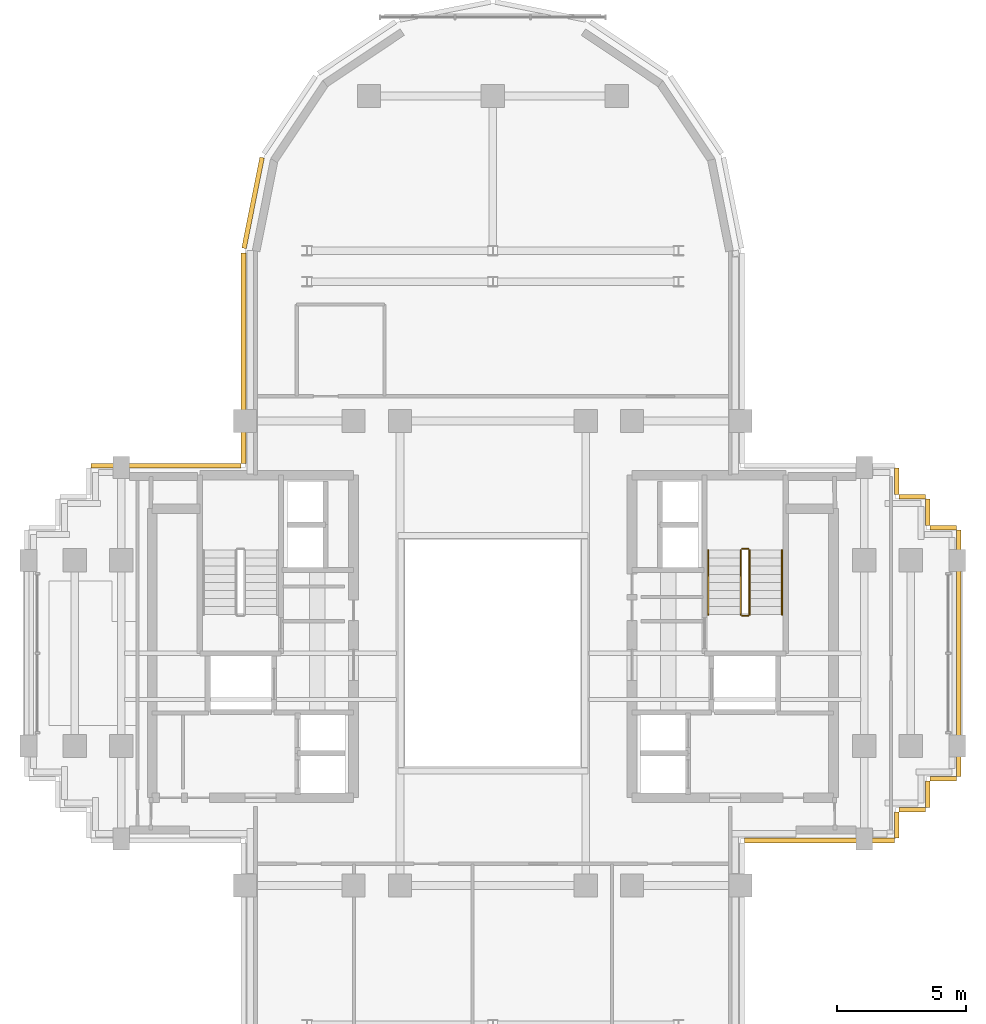
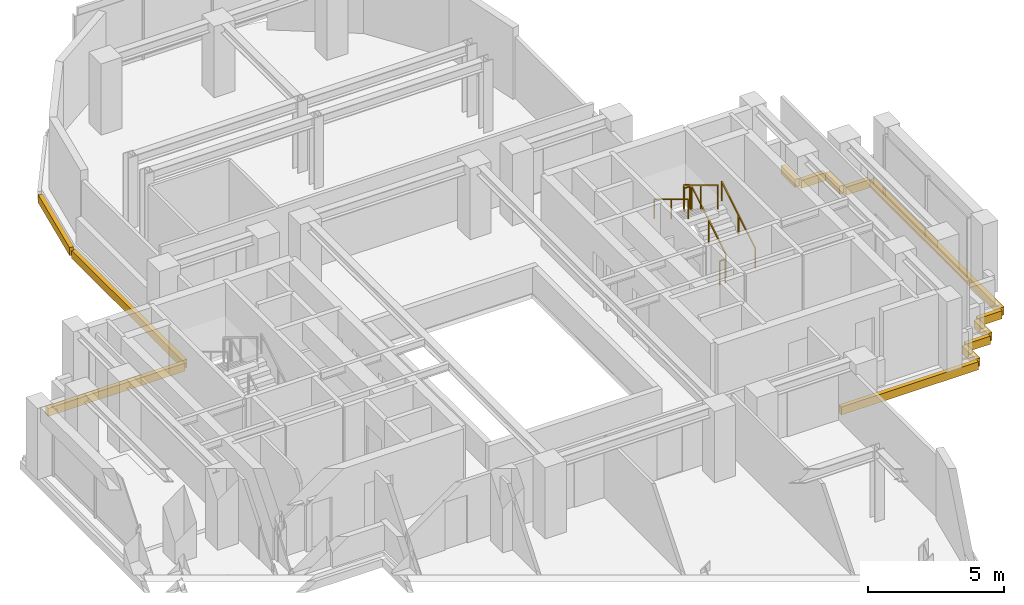
# One storey, part 10 of 11: 13 coverings, 6 railings.
"""IFC4 building model written with IfcOpenShell, lengths in metres."""

from ifc_helpers import new_model, si_unit, direction, frame, origin, origin_2d, place, context, subcontext, project, spatial, rectangle, extrude, source, transform, mapped, material, layer, layer_set, type_object, element, save


model = new_model("IFC4")

# Units and contexts
model_context = context("Model", 3, precision=1e-05, world=origin(), true_north=direction((0.0, 1.0)))
body_context = subcontext(model_context, "Body", "Model", "MODEL_VIEW")
ifc_project = project(units=[si_unit("LENGTHUNIT", "METRE"), si_unit("AREAUNIT", "SQUARE_METRE"), si_unit("VOLUMEUNIT", "CUBIC_METRE"), si_unit("PLANEANGLEUNIT", "RADIAN"), si_unit("MASSUNIT", "GRAM", prefix="KILO")], contexts=[model_context])

# Site, building, storey
site_placement = place(None, origin())
site = spatial("IfcSite", under=ifc_project, at=site_placement, CompositionType="ELEMENT")
building_placement = place(site_placement, origin())
building = spatial("IfcBuilding", under=site, at=building_placement, Name="Keilestroom Media Tower", CompositionType="ELEMENT")
storey_placement = place(building_placement, frame((0.0, 0.0, 160.39990234375)))
storey = spatial("IfcBuildingStorey", under=building, at=storey_placement, Name="L43", CompositionType="ELEMENT", Elevation=160.39990234375)

# Railings
ifc_material_1 = material(Name="Brushed Stainless Steel 1.4301", Category="steel")
railing_type_1 = type_object("IfcRailingType", Name="Stair-Pitch-Handrail-920", PredefinedType="HANDRAIL", material=ifc_material_1)
railing_1_placement = place(storey_placement, frame((11.2099609375, 1.5, 0.18896484375)))
element("IfcRailing", 1, at=railing_1_placement, inside=storey, type_object=railing_type_1, Name="L43 ST-2 stair handrail 1", PredefinedType="HANDRAIL", context=body_context, shape_type="SweptSolid", body=[
    extrude(rectangle(XDim=0.048095703125, YDim=0.048095703125, at=origin_2d()), frame((0.0, 0.0, 0.8759765625), z_axis=(0.0, 0.855433747314, 0.517912255074), x_axis=(-1.0, 0.0, 0.0)), (0.0, 0.0, 1.0), 2.91796875),
    extrude(rectangle(XDim=0.0419921875, YDim=0.0419921875, at=origin_2d()), origin(), (0.0, 0.0, 1.0), 0.84375),
    extrude(rectangle(XDim=0.0419921875, YDim=0.0419921875, at=origin_2d()), frame((0.0, 1.248046875, 0.755615234375)), (0.0, 0.0, 1.0), 0.84375),
    extrude(rectangle(XDim=0.0419921875, YDim=0.0419921875, at=origin_2d()), frame((0.0, 2.49609375, 1.51123046875)), (0.0, 0.0, 1.0), 0.84375),
])
railing_2_placement = place(storey_placement, frame((8.35009765625, 3.99609375, 1.888916015625)))
element("IfcRailing", 2, at=railing_2_placement, inside=storey, type_object=railing_type_1, Name="L43 ST-2 stair handrail 2", PredefinedType="HANDRAIL", context=body_context, shape_type="SweptSolid", body=[
    extrude(rectangle(XDim=0.048095703125, YDim=0.048095703125, at=origin_2d()), frame((0.0, 0.0, 0.8759765625), z_axis=(0.0, -0.855433747314, 0.517912255074), x_axis=(1.0, 0.0, 0.0)), (0.0, 0.0, 1.0), 2.91796875),
    extrude(rectangle(XDim=0.0419921875, YDim=0.0419921875, at=origin_2d()), origin(), (0.0, 0.0, 1.0), 0.84375),
    extrude(rectangle(XDim=0.0419921875, YDim=0.0419921875, at=origin_2d()), frame((0.0, -1.248046875, 0.755615234375)), (0.0, 0.0, 1.0), 0.84375),
    extrude(rectangle(XDim=0.0419921875, YDim=0.0419921875, at=origin_2d()), frame((0.0, -2.49609375, 1.51123046875)), (0.0, 0.0, 1.0), 0.84375),
])
ifc_material_2 = material(Name="Painted Steel Balustrade", Category="steel")
railing_type_2 = type_object("IfcRailingType", Name="Stair-Well-And-Landing-Guard-1100", PredefinedType="GUARDRAIL", material=ifc_material_2)
railing_3_placement = place(storey_placement, frame((9.949951171875, 1.5, 0.18896484375)))
element("IfcRailing", 3, at=railing_3_placement, inside=storey, type_object=railing_type_2, Name="L43 ST-2 stair guard 1", PredefinedType="GUARDRAIL", context=body_context, shape_type="SweptSolid", body=[
    extrude(rectangle(XDim=0.048095703125, YDim=0.048095703125, at=origin_2d()), frame((0.0, 0.0, 1.076171875), z_axis=(0.0, 0.855433747314, 0.517912255074), x_axis=(-1.0, 0.0, 0.0)), (0.0, 0.0, 1.0), 2.91796875),
    extrude(rectangle(XDim=0.0419921875, YDim=0.0419921875, at=origin_2d()), origin(), (0.0, 0.0, 1.0), 1.0439453125),
    extrude(rectangle(XDim=0.0419921875, YDim=0.0419921875, at=origin_2d()), frame((0.0, 1.248046875, 0.755615234375)), (0.0, 0.0, 1.0), 1.0439453125),
    extrude(rectangle(XDim=0.0419921875, YDim=0.0419921875, at=origin_2d()), frame((0.0, 2.49609375, 1.51123046875)), (0.0, 0.0, 1.0), 1.0439453125),
])
railing_4_placement = place(storey_placement, frame((9.89990234375, 4.0458984375, 1.7001953125)))
element("IfcRailing", 4, at=railing_4_placement, inside=storey, type_object=railing_type_2, Name="L43 ST-2 stair guard 2", PredefinedType="GUARDRAIL", context=body_context, shape_type="SweptSolid", body=[
    extrude(rectangle(XDim=0.048095703125, YDim=0.048095703125, at=origin_2d()), frame((0.0, 0.0, 1.076171875), z_axis=(-1.0, 0.0, 0.0), x_axis=(0.0, -1.0, 0.0)), (0.0, 0.0, 1.0), 0.239990234375),
    extrude(rectangle(XDim=0.0419921875, YDim=0.0419921875, at=origin_2d()), origin(), (0.0, 0.0, 1.0), 1.0439453125),
    extrude(rectangle(XDim=0.0419921875, YDim=0.0419921875, at=origin_2d()), frame((-0.239990234375, 0.0, 0.0)), (0.0, 0.0, 1.0), 1.0439453125),
])
railing_5_placement = place(storey_placement, frame((9.610107421875, 3.99609375, 1.888916015625)))
element("IfcRailing", 5, at=railing_5_placement, inside=storey, type_object=railing_type_2, Name="L43 ST-2 stair guard 3", PredefinedType="GUARDRAIL", context=body_context, shape_type="SweptSolid", body=[
    extrude(rectangle(XDim=0.048095703125, YDim=0.048095703125, at=origin_2d()), frame((0.0, 0.0, 1.076171875), z_axis=(0.0, -0.855433747314, 0.517912255074), x_axis=(1.0, 0.0, 0.0)), (0.0, 0.0, 1.0), 2.91796875),
    extrude(rectangle(XDim=0.0419921875, YDim=0.0419921875, at=origin_2d()), origin(), (0.0, 0.0, 1.0), 1.0439453125),
    extrude(rectangle(XDim=0.0419921875, YDim=0.0419921875, at=origin_2d()), frame((0.0, -1.248046875, 0.755615234375)), (0.0, 0.0, 1.0), 1.0439453125),
    extrude(rectangle(XDim=0.0419921875, YDim=0.0419921875, at=origin_2d()), frame((0.0, -2.49609375, 1.51123046875)), (0.0, 0.0, 1.0), 1.0439453125),
])
railing_6_placement = place(storey_placement, frame((9.89990234375, 1.449951171875, 0.0)))
element("IfcRailing", 6, at=railing_6_placement, inside=storey, type_object=railing_type_2, Name="L43 ST-2 stair guard 4", PredefinedType="GUARDRAIL", context=body_context, shape_type="SweptSolid", body=[
    extrude(rectangle(XDim=0.048095703125, YDim=0.048095703125, at=origin_2d()), frame((0.0, 0.0, 1.076171875), z_axis=(-1.0, 0.0, 0.0), x_axis=(0.0, -1.0, 0.0)), (0.0, 0.0, 1.0), 0.239990234375),
    extrude(rectangle(XDim=0.0419921875, YDim=0.0419921875, at=origin_2d()), origin(), (0.0, 0.0, 1.0), 1.0439453125),
    extrude(rectangle(XDim=0.0419921875, YDim=0.0419921875, at=origin_2d()), frame((-0.239990234375, 0.0, 0.0)), (0.0, 0.0, 1.0), 1.0439453125),
])

# Coverings
ifc_material_3 = material(Name="Precast concrete C40/50", Category="concrete")
ifc_layer = layer(ifc_material_3, 0.1201171875)
ifc_layer_set = layer_set([ifc_layer], Name="Precast concrete C40/50")
covering_type = type_object("IfcCoveringType", Name="Exterior-Precast-Spandrel-Cladding-Panel-120", PredefinedType="CLADDING", material=ifc_layer_set)
shared_shape_1 = source(origin(), body_context, "Body", "SweptSolid", [
    extrude(rectangle(XDim=1.02001953125, YDim=0.179931640625, at=origin_2d()), origin(), (0.0, 0.0, 1.0), 0.360107421875),
])
for number, where, z_axis, x_axis, name in (
    (7, (17.4599609375, -4.860107421875, -0.5400390625), (0.0, 0.0, 1.0), (-1.0, 0.0, 0.0), "L43 Precast Slab-Edge Fascia Cornice 01"),
    (8, (16.860107421875, -5.4599609375, -0.5400390625), (0.0, 0.0, 1.0), (0.0, -1.0, 0.0), "L43 Precast Slab-Edge Fascia Cornice 02"),
    (9, (16.260009765625, -6.06005859375, -0.5400390625), (0.0, 0.0, 1.0), (-1.0, 0.0, 0.0), "L43 Precast Slab-Edge Fascia Cornice 03"),
    (10, (15.659912109375, -6.659912109375, -0.5400390625), (0.0, 0.0, 1.0), (0.0, -1.0, 0.0), "L43 Precast Slab-Edge Fascia Cornice 04"),
    (11, (15.659912109375, 6.659912109375, -0.5400390625), (0.0, 0.0, 1.0), (0.0, -1.0, 0.0), "L43 Precast Slab-Edge Fascia Cornice 38"),
    (12, (16.260009765625, 6.06005859375, -0.5400390625), (0.0, 0.0, 1.0), (1.0, 0.0, 0.0), "L43 Precast Slab-Edge Fascia Cornice 39"),
    (13, (16.860107421875, 5.4599609375, -0.5400390625), (0.0, 0.0, 1.0), (0.0, -1.0, 0.0), "L43 Precast Slab-Edge Fascia Cornice 40"),
    (14, (17.4599609375, 4.860107421875, -0.5400390625), (0.0, 0.0, 1.0), (1.0, 0.0, 0.0), "L43 Precast Slab-Edge Fascia Cornice 41"),
):
    element("IfcCovering", number, at=place(storey_placement, frame(where, z_axis=z_axis, x_axis=x_axis)), inside=storey, type_object=covering_type, Name=name, PredefinedType="CLADDING", context=body_context, shape_type="MappedRepresentation", body=[
        mapped(shared_shape_1, transform((0.0, 0.0, 0.0), x_axis=(1.0, 0.0, 0.0), y_axis=(0.0, 1.0, 0.0), z_axis=(0.0, 0.0, 1.0), scale=1.0)),
    ])
shared_shape_2 = source(origin(), body_context, "Body", "SweptSolid", [
    extrude(rectangle(XDim=8.166015625, YDim=0.179931640625, at=origin_2d()), origin(), (0.0, 0.0, 1.0), 0.360107421875),
])
covering_1_placement = place(storey_placement, frame((-9.659912109375, 11.43310546875, -0.5400390625), z_axis=(0.0, 0.0, 1.0), x_axis=(0.0, 1.0, 0.0)))
element("IfcCovering", 15, at=covering_1_placement, inside=storey, type_object=covering_type, Name="L43 Precast Slab-Edge Fascia Cornice 27", PredefinedType="CLADDING", context=body_context, shape_type="MappedRepresentation", body=[
    mapped(shared_shape_2, transform((0.0, 0.0, 0.0), x_axis=(1.0, 0.0, 0.0), y_axis=(0.0, 1.0, 0.0), z_axis=(0.0, 0.0, 1.0), scale=1.0)),
])
shared_shape_3 = source(origin(), body_context, "Body", "SweptSolid", [
    extrude(rectangle(XDim=3.58349609375, YDim=0.179931640625, at=origin_2d()), origin(), (0.0, 0.0, 1.0), 0.360107421875),
])
covering_2_placement = place(storey_placement, frame((-9.29296875, 17.45166015625, -0.5400390625), z_axis=(0.0, 0.0, 1.0), x_axis=(0.195098880975, 0.980783577882, 0.0)))
element("IfcCovering", 16, at=covering_2_placement, inside=storey, type_object=covering_type, Name="L43 Precast Slab-Edge Fascia Cornice 28", PredefinedType="CLADDING", context=body_context, shape_type="MappedRepresentation", body=[
    mapped(shared_shape_3, transform((0.0, 0.0, 0.0), x_axis=(1.0, 0.0, 0.0), y_axis=(0.0, 1.0, 0.0), z_axis=(0.0, 0.0, 1.0), scale=1.0)),
])
shared_shape_4 = source(origin(), body_context, "Body", "SweptSolid", [
    extrude(rectangle(XDim=9.5400390625, YDim=0.179931640625, at=origin_2d()), origin(), (0.0, 0.0, 1.0), 0.360107421875),
])
covering_3_placement = place(storey_placement, frame((18.06005859375, 0.0, -0.5400390625), z_axis=(0.0, 0.0, 1.0), x_axis=(0.0, -1.0, 0.0)))
element("IfcCovering", 17, at=covering_3_placement, inside=storey, type_object=covering_type, Name="L43 Precast Slab-Edge Fascia Cornice 42", PredefinedType="CLADDING", context=body_context, shape_type="MappedRepresentation", body=[
    mapped(shared_shape_4, transform((0.0, 0.0, 0.0), x_axis=(1.0, 0.0, 0.0), y_axis=(0.0, 1.0, 0.0), z_axis=(0.0, 0.0, 1.0), scale=1.0)),
])
shared_shape_5 = source(origin(), body_context, "Body", "SweptSolid", [
    extrude(rectangle(XDim=5.820068359375, YDim=0.179931640625, at=origin_2d()), origin(), (0.0, 0.0, 1.0), 0.360107421875),
])
for number, where, z_axis, x_axis, name in (
    (18, (12.659912109375, -7.260009765625, -0.5400390625), (0.0, 0.0, 1.0), (-1.0, 0.0, 0.0), "L43 Precast Slab-Edge Fascia Cornice 05"),
    (19, (-12.659912109375, 7.260009765625, -0.5400390625), (0.0, 0.0, 1.0), (1.0, 0.0, 0.0), "L43 Precast Slab-Edge Fascia Cornice 26"),
):
    element("IfcCovering", number, at=place(storey_placement, frame(where, z_axis=z_axis, x_axis=x_axis)), inside=storey, type_object=covering_type, Name=name, PredefinedType="CLADDING", context=body_context, shape_type="MappedRepresentation", body=[
        mapped(shared_shape_5, transform((0.0, 0.0, 0.0), x_axis=(1.0, 0.0, 0.0), y_axis=(0.0, 1.0, 0.0), z_axis=(0.0, 0.0, 1.0), scale=1.0)),
    ])

save(model, "model.ifc")
